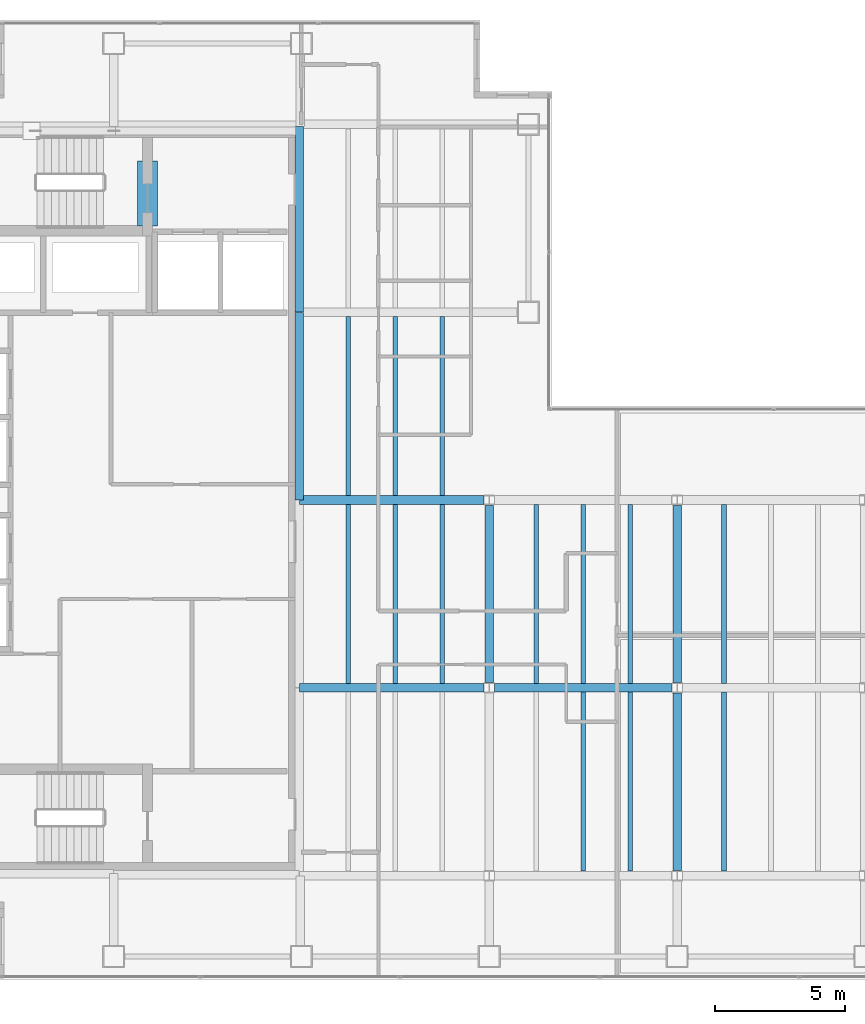
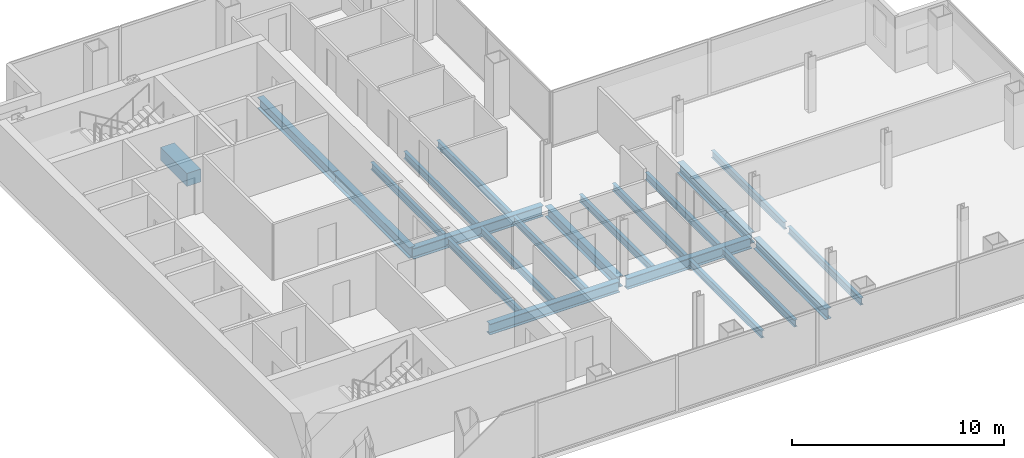
# One storey, part 7 of 23: 22 beams.
"""IFC4 building model written with IfcOpenShell, lengths in metres."""

from ifc_helpers import new_model, si_unit, direction, frame, origin, origin_2d, place, context, subcontext, project, spatial, rectangle, i_section, extrude, material, material_profile, profile_set, type_object, element, save


model = new_model("IFC4")

# Units and contexts
model_context = context("Model", 3, precision=1e-05, world=origin(), true_north=direction((0.0, 1.0)))
body_context = subcontext(model_context, "Body", "Model", "MODEL_VIEW")
ifc_project = project(units=[si_unit("LENGTHUNIT", "METRE"), si_unit("AREAUNIT", "SQUARE_METRE"), si_unit("VOLUMEUNIT", "CUBIC_METRE"), si_unit("PLANEANGLEUNIT", "RADIAN"), si_unit("MASSUNIT", "GRAM", prefix="KILO")], contexts=[model_context])

# Site, building, storey
site_placement = place(None, origin())
site = spatial("IfcSite", under=ifc_project, at=site_placement, CompositionType="ELEMENT")
building_placement = place(site_placement, origin())
building = spatial("IfcBuilding", under=site, at=building_placement, Name="Cobrela Telecom Tower", CompositionType="ELEMENT")
storey_placement = place(building_placement, frame((0.0, 0.0, 176.75)))
storey = spatial("IfcBuildingStorey", under=building, at=storey_placement, Name="L44", CompositionType="ELEMENT", Elevation=176.75)

# Beams
ifc_material_1 = material(Name="Concrete C40/50", Category="concrete")
ifc_material_profile_1 = material_profile(ifc_material_1, rectangle(XDim=0.75, YDim=0.75, at=origin_2d()), Name="RC 750x750")
ifc_profile_set_1 = profile_set([ifc_material_profile_1], Name="Concrete C40/50")
beam_type_1 = type_object("IfcBeamType", Name="BM-COUP-RC", PredefinedType="LINTEL", material=ifc_profile_set_1)
beam_1_placement = place(storey_placement, frame((8.5, 32.10009765625, -0.610107421875), z_axis=(0.0, 1.0, 0.0), x_axis=(-1.0, 0.0, 0.0)))
element("IfcBeam", 1, at=beam_1_placement, inside=storey, type_object=beam_type_1, Name="L44 Core Coupling Lintel Beam", PredefinedType="LINTEL", context=body_context, shape_type="SweptSolid", body=[
    extrude(rectangle(XDim=0.75, YDim=0.75, at=origin_2d()), origin(), (0.0, 0.0, 1.0), 2.5),
])
ifc_material_2 = material(Name="Steel ASTM A992 Grade 50", Category="steel")
ifc_material_profile_2 = material_profile(ifc_material_2, i_section(OverallWidth=0.327880859375, OverallDepth=0.6220703125, WebThickness=0.015380859375, FlangeThickness=0.0244140625, FilletRadius=0.014892578125, at=origin_2d()), Name="W24X131")
ifc_profile_set_2 = profile_set([ifc_material_profile_2], Name="Steel ASTM A992 Grade 50")
beam_type_2 = type_object("IfcBeamType", Name="BM-GIRD-06", PredefinedType="USERDEFINED", material=ifc_profile_set_2)
beam_2_placement = place(storey_placement, frame((14.324951171875, 14.39990234375, -0.571044921875), z_axis=(1.0, 0.0, 0.0), x_axis=(0.0, 1.0, 0.0)))
element("IfcBeam", 2, at=beam_2_placement, inside=storey, type_object=beam_type_2, Name="L44 Primary Girder X11", ObjectType="GIRDER", PredefinedType="USERDEFINED", context=body_context, shape_type="SweptSolid", body=[
    extrude(i_section(OverallWidth=0.327880859375, OverallDepth=0.6220703125, WebThickness=0.015380859375, FlangeThickness=0.0244140625, FilletRadius=0.014892578125, at=origin_2d()), origin(), (0.0, 0.0, 1.0), 7.070556640625),
])
beam_3_placement = place(storey_placement, frame((21.804443359375, 14.39990234375, -0.571044921875), z_axis=(1.0, 0.0, 0.0), x_axis=(0.0, 1.0, 0.0)))
element("IfcBeam", 3, at=beam_3_placement, inside=storey, type_object=beam_type_2, Name="L44 Primary Girder X12", ObjectType="GIRDER", PredefinedType="USERDEFINED", context=body_context, shape_type="SweptSolid", body=[
    extrude(i_section(OverallWidth=0.327880859375, OverallDepth=0.6220703125, WebThickness=0.015380859375, FlangeThickness=0.0244140625, FilletRadius=0.014892578125, at=origin_2d()), origin(), (0.0, 0.0, 1.0), 6.791015625),
])
beam_4_placement = place(storey_placement, frame((14.324951171875, 21.60009765625, -0.571044921875), z_axis=(1.0, 0.0, 0.0), x_axis=(0.0, 1.0, 0.0)))
element("IfcBeam", 4, at=beam_4_placement, inside=storey, type_object=beam_type_2, Name="L44 Primary Girder X15", ObjectType="GIRDER", PredefinedType="USERDEFINED", context=body_context, shape_type="SweptSolid", body=[
    extrude(i_section(OverallWidth=0.327880859375, OverallDepth=0.6220703125, WebThickness=0.015380859375, FlangeThickness=0.0244140625, FilletRadius=0.014892578125, at=origin_2d()), origin(), (0.0, 0.0, 1.0), 7.070556640625),
])
beam_5_placement = place(storey_placement, frame((14.320068359375, 21.60498046875, -0.571044921875), z_axis=(0.0, 1.0, 0.0), x_axis=(-1.0, 0.0, 0.0)))
element("IfcBeam", 5, at=beam_5_placement, inside=storey, type_object=beam_type_2, Name="L44 Primary Girder Y29", ObjectType="GIRDER", PredefinedType="USERDEFINED", context=body_context, shape_type="SweptSolid", body=[
    extrude(i_section(OverallWidth=0.327880859375, OverallDepth=0.6220703125, WebThickness=0.015380859375, FlangeThickness=0.0244140625, FilletRadius=0.014892578125, at=origin_2d()), origin(), (0.0, 0.0, 1.0), 7.18994140625),
])
beam_6_placement = place(storey_placement, frame((14.320068359375, 28.804931640625, -0.571044921875), z_axis=(0.0, 1.0, 0.0), x_axis=(-1.0, 0.0, 0.0)))
element("IfcBeam", 6, at=beam_6_placement, inside=storey, type_object=beam_type_2, Name="L44 Primary Girder Y30", ObjectType="GIRDER", PredefinedType="USERDEFINED", context=body_context, shape_type="SweptSolid", body=[
    extrude(i_section(OverallWidth=0.327880859375, OverallDepth=0.6220703125, WebThickness=0.015380859375, FlangeThickness=0.0244140625, FilletRadius=0.014892578125, at=origin_2d()), origin(), (0.0, 0.0, 1.0), 7.110107421875),
])
for number, where, z_axis, x_axis, name in (
    (7, (21.60009765625, 14.6044921875, -0.571044921875), (0.0, 1.0, 0.0), (-1.0, 0.0, 0.0), "L44 Primary Girder Y34"),
    (8, (28.800048828125, 7.404541015625, -0.571044921875), (0.0, 1.0, 0.0), (-1.0, 0.0, 0.0), "L44 Primary Girder Y37"),
    (9, (28.800048828125, 14.6044921875, -0.571044921875), (0.0, 1.0, 0.0), (-1.0, 0.0, 0.0), "L44 Primary Girder Y38"),
):
    element("IfcBeam", number, at=place(storey_placement, frame(where, z_axis=z_axis, x_axis=x_axis)), inside=storey, type_object=beam_type_2, Name=name, ObjectType="GIRDER", PredefinedType="USERDEFINED", context=body_context, shape_type="SweptSolid", body=[
        extrude(i_section(OverallWidth=0.327880859375, OverallDepth=0.6220703125, WebThickness=0.015380859375, FlangeThickness=0.0244140625, FilletRadius=0.014892578125, at=origin_2d()), origin(), (0.0, 0.0, 1.0), 6.791015625),
    ])
ifc_material_profile_3 = material_profile(ifc_material_2, i_section(OverallWidth=0.179931640625, OverallDepth=0.4169921875, WebThickness=0.010986328125, FlangeThickness=0.01806640625, FilletRadius=0.011962890625, at=origin_2d()), Name="W16X57")
ifc_profile_set_3 = profile_set([ifc_material_profile_3], Name="Steel ASTM A992 Grade 50")
beam_type_3 = type_object("IfcBeamType", Name="BM-JOIST-04", PredefinedType="JOIST", material=ifc_profile_set_3)
beam_7_placement = place(storey_placement, frame((16.199951171875, 14.569091796875, -0.468505859375), z_axis=(0.0, 1.0, 0.0), x_axis=(-1.0, 0.0, 0.0)))
element("IfcBeam", 10, at=beam_7_placement, inside=storey, type_object=beam_type_3, Name="L44 Secondary Composite Floor Beam J02", PredefinedType="JOIST", context=body_context, shape_type="SweptSolid", body=[
    extrude(i_section(OverallWidth=0.179931640625, OverallDepth=0.4169921875, WebThickness=0.010986328125, FlangeThickness=0.01806640625, FilletRadius=0.011962890625, at=origin_2d()), origin(), (0.0, 0.0, 1.0), 6.86181640625),
])
beam_8_placement = place(storey_placement, frame((16.199951171875, 21.76904296875, -0.468505859375), z_axis=(0.0, 1.0, 0.0), x_axis=(-1.0, 0.0, 0.0)))
element("IfcBeam", 11, at=beam_8_placement, inside=storey, type_object=beam_type_3, Name="L44 Secondary Composite Floor Beam J03", PredefinedType="JOIST", context=body_context, shape_type="SweptSolid", body=[
    extrude(i_section(OverallWidth=0.179931640625, OverallDepth=0.4169921875, WebThickness=0.010986328125, FlangeThickness=0.01806640625, FilletRadius=0.011962890625, at=origin_2d()), origin(), (0.0, 0.0, 1.0), 6.862060546875),
])
beam_9_placement = place(storey_placement, frame((18.0, 14.569091796875, -0.468505859375), z_axis=(0.0, 1.0, 0.0), x_axis=(-1.0, 0.0, 0.0)))
element("IfcBeam", 12, at=beam_9_placement, inside=storey, type_object=beam_type_3, Name="L44 Secondary Composite Floor Beam J06", PredefinedType="JOIST", context=body_context, shape_type="SweptSolid", body=[
    extrude(i_section(OverallWidth=0.179931640625, OverallDepth=0.4169921875, WebThickness=0.010986328125, FlangeThickness=0.01806640625, FilletRadius=0.011962890625, at=origin_2d()), origin(), (0.0, 0.0, 1.0), 6.86181640625),
])
beam_10_placement = place(storey_placement, frame((18.0, 21.76904296875, -0.468505859375), z_axis=(0.0, 1.0, 0.0), x_axis=(-1.0, 0.0, 0.0)))
element("IfcBeam", 13, at=beam_10_placement, inside=storey, type_object=beam_type_3, Name="L44 Secondary Composite Floor Beam J07", PredefinedType="JOIST", context=body_context, shape_type="SweptSolid", body=[
    extrude(i_section(OverallWidth=0.179931640625, OverallDepth=0.4169921875, WebThickness=0.010986328125, FlangeThickness=0.01806640625, FilletRadius=0.011962890625, at=origin_2d()), origin(), (0.0, 0.0, 1.0), 6.862060546875),
])
beam_11_placement = place(storey_placement, frame((19.800048828125, 14.569091796875, -0.468505859375), z_axis=(0.0, 1.0, 0.0), x_axis=(-1.0, 0.0, 0.0)))
element("IfcBeam", 14, at=beam_11_placement, inside=storey, type_object=beam_type_3, Name="L44 Secondary Composite Floor Beam J10", PredefinedType="JOIST", context=body_context, shape_type="SweptSolid", body=[
    extrude(i_section(OverallWidth=0.179931640625, OverallDepth=0.4169921875, WebThickness=0.010986328125, FlangeThickness=0.01806640625, FilletRadius=0.011962890625, at=origin_2d()), origin(), (0.0, 0.0, 1.0), 6.86181640625),
])
beam_12_placement = place(storey_placement, frame((19.800048828125, 21.76904296875, -0.468505859375), z_axis=(0.0, 1.0, 0.0), x_axis=(-1.0, 0.0, 0.0)))
element("IfcBeam", 15, at=beam_12_placement, inside=storey, type_object=beam_type_3, Name="L44 Secondary Composite Floor Beam J11", PredefinedType="JOIST", context=body_context, shape_type="SweptSolid", body=[
    extrude(i_section(OverallWidth=0.179931640625, OverallDepth=0.4169921875, WebThickness=0.010986328125, FlangeThickness=0.01806640625, FilletRadius=0.011962890625, at=origin_2d()), origin(), (0.0, 0.0, 1.0), 6.862060546875),
])
beam_13_placement = place(storey_placement, frame((23.39990234375, 14.569091796875, -0.468505859375), z_axis=(0.0, 1.0, 0.0), x_axis=(-1.0, 0.0, 0.0)))
element("IfcBeam", 16, at=beam_13_placement, inside=storey, type_object=beam_type_3, Name="L44 Secondary Composite Floor Beam J14", PredefinedType="JOIST", context=body_context, shape_type="SweptSolid", body=[
    extrude(i_section(OverallWidth=0.179931640625, OverallDepth=0.4169921875, WebThickness=0.010986328125, FlangeThickness=0.01806640625, FilletRadius=0.011962890625, at=origin_2d()), origin(), (0.0, 0.0, 1.0), 6.86181640625),
])
beam_14_placement = place(storey_placement, frame((25.199951171875, 7.368896484375, -0.468505859375), z_axis=(0.0, 1.0, 0.0), x_axis=(-1.0, 0.0, 0.0)))
element("IfcBeam", 17, at=beam_14_placement, inside=storey, type_object=beam_type_3, Name="L44 Secondary Composite Floor Beam J15", PredefinedType="JOIST", context=body_context, shape_type="SweptSolid", body=[
    extrude(i_section(OverallWidth=0.179931640625, OverallDepth=0.4169921875, WebThickness=0.010986328125, FlangeThickness=0.01806640625, FilletRadius=0.011962890625, at=origin_2d()), origin(), (0.0, 0.0, 1.0), 6.862060546875),
])
beam_15_placement = place(storey_placement, frame((25.199951171875, 14.569091796875, -0.468505859375), z_axis=(0.0, 1.0, 0.0), x_axis=(-1.0, 0.0, 0.0)))
element("IfcBeam", 18, at=beam_15_placement, inside=storey, type_object=beam_type_3, Name="L44 Secondary Composite Floor Beam J16", PredefinedType="JOIST", context=body_context, shape_type="SweptSolid", body=[
    extrude(i_section(OverallWidth=0.179931640625, OverallDepth=0.4169921875, WebThickness=0.010986328125, FlangeThickness=0.01806640625, FilletRadius=0.011962890625, at=origin_2d()), origin(), (0.0, 0.0, 1.0), 6.86181640625),
])
beam_16_placement = place(storey_placement, frame((27.0, 7.368896484375, -0.468505859375), z_axis=(0.0, 1.0, 0.0), x_axis=(-1.0, 0.0, 0.0)))
element("IfcBeam", 19, at=beam_16_placement, inside=storey, type_object=beam_type_3, Name="L44 Secondary Composite Floor Beam J17", PredefinedType="JOIST", context=body_context, shape_type="SweptSolid", body=[
    extrude(i_section(OverallWidth=0.179931640625, OverallDepth=0.4169921875, WebThickness=0.010986328125, FlangeThickness=0.01806640625, FilletRadius=0.011962890625, at=origin_2d()), origin(), (0.0, 0.0, 1.0), 6.862060546875),
])
beam_17_placement = place(storey_placement, frame((27.0, 14.569091796875, -0.468505859375), z_axis=(0.0, 1.0, 0.0), x_axis=(-1.0, 0.0, 0.0)))
element("IfcBeam", 20, at=beam_17_placement, inside=storey, type_object=beam_type_3, Name="L44 Secondary Composite Floor Beam J18", PredefinedType="JOIST", context=body_context, shape_type="SweptSolid", body=[
    extrude(i_section(OverallWidth=0.179931640625, OverallDepth=0.4169921875, WebThickness=0.010986328125, FlangeThickness=0.01806640625, FilletRadius=0.011962890625, at=origin_2d()), origin(), (0.0, 0.0, 1.0), 6.86181640625),
])
beam_18_placement = place(storey_placement, frame((30.60009765625, 7.368896484375, -0.468505859375), z_axis=(0.0, 1.0, 0.0), x_axis=(-1.0, 0.0, 0.0)))
element("IfcBeam", 21, at=beam_18_placement, inside=storey, type_object=beam_type_3, Name="L44 Secondary Composite Floor Beam J19", PredefinedType="JOIST", context=body_context, shape_type="SweptSolid", body=[
    extrude(i_section(OverallWidth=0.179931640625, OverallDepth=0.4169921875, WebThickness=0.010986328125, FlangeThickness=0.01806640625, FilletRadius=0.011962890625, at=origin_2d()), origin(), (0.0, 0.0, 1.0), 6.862060546875),
])
beam_19_placement = place(storey_placement, frame((30.60009765625, 14.569091796875, -0.468505859375), z_axis=(0.0, 1.0, 0.0), x_axis=(-1.0, 0.0, 0.0)))
element("IfcBeam", 22, at=beam_19_placement, inside=storey, type_object=beam_type_3, Name="L44 Secondary Composite Floor Beam J20", PredefinedType="JOIST", context=body_context, shape_type="SweptSolid", body=[
    extrude(i_section(OverallWidth=0.179931640625, OverallDepth=0.4169921875, WebThickness=0.010986328125, FlangeThickness=0.01806640625, FilletRadius=0.011962890625, at=origin_2d()), origin(), (0.0, 0.0, 1.0), 6.86181640625),
])

save(model, "model.ifc")
